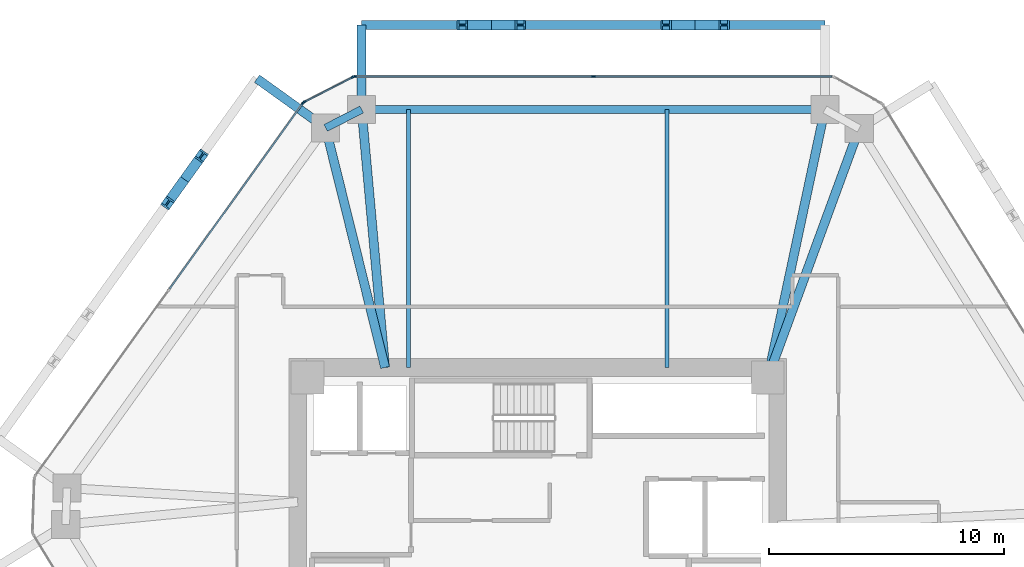
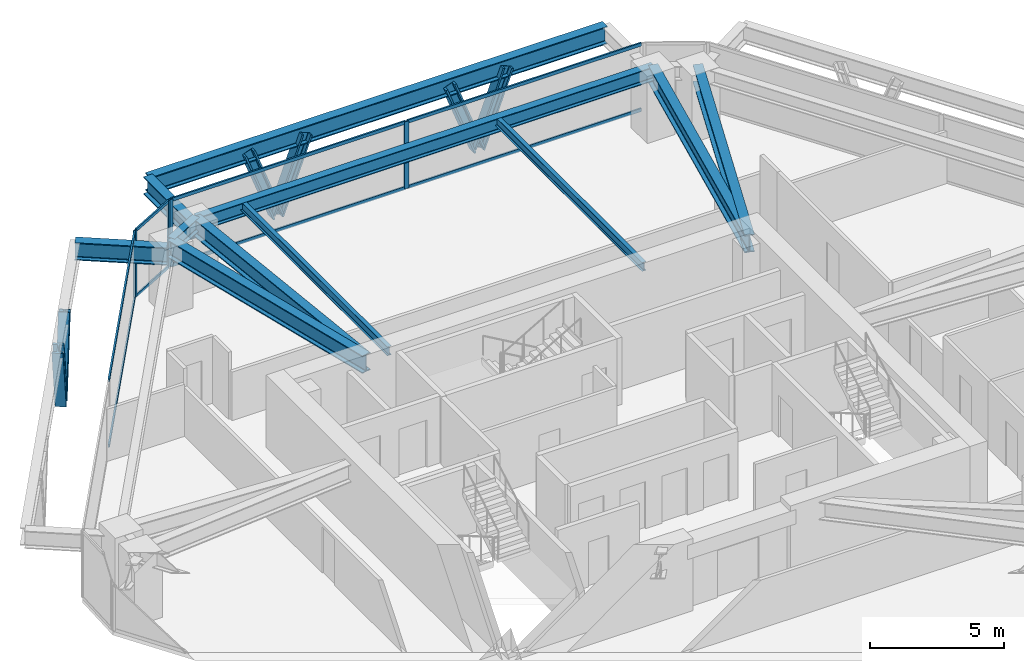
# One storey, part 7 of 13: 19 members, 11 beams, 3 elements without a shape of their own.
"""IFC4 building model written with IfcOpenShell, lengths in metres."""

from ifc_helpers import new_model, si_unit, direction, frame, origin, origin_2d, place, context, subcontext, project, spatial, rectangle, i_section, extrude, source, transform, mapped, material, layer, layer_set, material_profile, profile_set, type_object, type_shapes, element, aggregate, save


model = new_model("IFC4")

# Units and contexts
model_context = context("Model", 3, precision=1e-05, world=origin(), true_north=direction((0.0, 1.0)))
body_context = subcontext(model_context, "Body", "Model", "MODEL_VIEW")
ifc_project = project(units=[si_unit("LENGTHUNIT", "METRE"), si_unit("AREAUNIT", "SQUARE_METRE"), si_unit("VOLUMEUNIT", "CUBIC_METRE"), si_unit("PLANEANGLEUNIT", "RADIAN"), si_unit("MASSUNIT", "GRAM", prefix="KILO")], contexts=[model_context])

# Site, building, storey
site_placement = place(None, origin())
site = spatial("IfcSite", under=ifc_project, at=site_placement, CompositionType="ELEMENT")
building_placement = place(site_placement, origin())
building = spatial("IfcBuilding", under=site, at=building_placement, Name="Durnholm Broadcast Tower", CompositionType="ELEMENT")
storey_placement = place(building_placement, frame((0.0, 0.0, 100.800048828125)))
storey = spatial("IfcBuildingStorey", under=building, at=storey_placement, Name="L26", CompositionType="ELEMENT", Elevation=100.800048828125)

# Beams
ifc_material_1 = material(Name="Steel ASTM A992 Grade 50", Category="steel")
ifc_material_profile_1 = material_profile(ifc_material_1, i_section(OverallWidth=0.385009765625, OverallDepth=0.802978515625, WebThickness=0.023681640625, FlangeThickness=0.0419921875, FilletRadius=0.032958984375, at=origin_2d()), Name="W30X261")
ifc_profile_set_1 = profile_set([ifc_material_profile_1], Name="Steel ASTM A992 Grade 50")
beam_type_1 = type_object("IfcBeamType", Name="BM-EXO-TIE", PredefinedType="USERDEFINED", material=ifc_profile_set_1)
shared_shape_1 = source(origin(), body_context, "Body", "SweptSolid", [
    extrude(i_section(OverallWidth=0.385009765625, OverallDepth=0.802978515625, WebThickness=0.023681640625, FlangeThickness=0.0419921875, FilletRadius=0.032958984375, at=origin_2d()), origin(), (0.0, 0.0, 1.0), 3.4560546875),
])
beam_1_placement = place(storey_placement, frame((-7.498046875, 19.35888671875, 2.30859375), z_axis=(0.0, 1.0, 0.0), x_axis=(-1.0, 0.0, 0.0)))
element("IfcBeam", 1, at=beam_1_placement, inside=storey, type_object=beam_type_1, Name="L26 exoskeleton stand-off tie bracket F4.2", ObjectType="GIRDER", PredefinedType="USERDEFINED", context=body_context, shape_type="MappedRepresentation", body=[
    mapped(shared_shape_1, transform((0.0, 0.0, 0.0), x_axis=(1.0, 0.0, 0.0), y_axis=(0.0, 1.0, 0.0), z_axis=(0.0, 0.0, 1.0), scale=1.0)),
])
ifc_material_profile_2 = material_profile(ifc_material_1, i_section(OverallWidth=0.3291015625, OverallDepth=0.635009765625, WebThickness=0.017822265625, FlangeThickness=0.031005859375, FilletRadius=0.02783203125, at=origin_2d()), Name="W24X162")
ifc_profile_set_2 = profile_set([ifc_material_profile_2], Name="Steel ASTM A992 Grade 50")
beam_type_2 = type_object("IfcBeamType", Name="STL-SP-W24X162", PredefinedType="SPANDREL", material=ifc_profile_set_2)
shared_shape_2 = source(origin(), body_context, "Body", "SweptSolid", [
    extrude(i_section(OverallWidth=0.3291015625, OverallDepth=0.635009765625, WebThickness=0.017822265625, FlangeThickness=0.031005859375, FilletRadius=0.02783203125, at=origin_2d()), origin(), (0.0, 0.0, 1.0), 1.723876953125),
])
beam_2_placement = place(storey_placement, frame((-9.031982421875, 18.42822265625, 2.7275390625), z_axis=(0.889762904339, 0.456423020959, 0.0), x_axis=(-0.456423020959, 0.889762904339, 0.0)))
element("IfcBeam", 2, at=beam_2_placement, inside=storey, type_object=beam_type_2, Name="L26 perimeter spandrel girder 04", PredefinedType="SPANDREL", context=body_context, shape_type="MappedRepresentation", body=[
    mapped(shared_shape_2, transform((0.0, 0.0, 0.0), x_axis=(1.0, 0.0, 0.0), y_axis=(0.0, 1.0, 0.0), z_axis=(0.0, 0.0, 1.0), scale=1.0)),
])
shared_shape_3 = source(origin(), body_context, "Body", "SweptSolid", [
    extrude(i_section(OverallWidth=0.3291015625, OverallDepth=0.635009765625, WebThickness=0.017822265625, FlangeThickness=0.031005859375, FilletRadius=0.02783203125, at=origin_2d()), origin(), (0.0, 0.0, 1.0), 19.72802734375),
])
type_shapes(beam_type_2, [shared_shape_2, shared_shape_3])
beam_3_placement = place(storey_placement, frame((-7.498046875, 19.215087890625, 2.7275390625), z_axis=(1.0, 0.0, 0.0), x_axis=(0.0, 1.0, 0.0)))
element("IfcBeam", 3, at=beam_3_placement, inside=storey, type_object=beam_type_2, Name="L26 perimeter spandrel girder 05", PredefinedType="SPANDREL", context=body_context, shape_type="MappedRepresentation", body=[
    mapped(shared_shape_3, transform((0.0, 0.0, 0.0), x_axis=(1.0, 0.0, 0.0), y_axis=(0.0, 1.0, 0.0), z_axis=(0.0, 0.0, 1.0), scale=1.0)),
])
ifc_material_profile_3 = material_profile(ifc_material_1, i_section(OverallWidth=0.385009765625, OverallDepth=0.802978515625, WebThickness=0.023681640625, FlangeThickness=0.0419921875, FilletRadius=0.032958984375, at=origin_2d()), Name="W30X261")
ifc_profile_set_3 = profile_set([ifc_material_profile_3], Name="Steel ASTM A992 Grade 50")
beam_type_3 = type_object("IfcBeamType", Name="STL-GR-W30X261", PredefinedType="USERDEFINED", material=ifc_profile_set_3)
shared_shape_4 = source(origin(), body_context, "Body", "SweptSolid", [
    extrude(i_section(OverallWidth=0.385009765625, OverallDepth=0.802978515625, WebThickness=0.023681640625, FlangeThickness=0.0419921875, FilletRadius=0.032958984375, at=origin_2d()), origin(), (0.0, 0.0, 1.0), 10.5126953125),
])
beam_4_placement = place(storey_placement, frame((-6.5, 8.22509765625, 2.6435546875), z_axis=(-0.240852230194, 0.970561797729, 0.0), x_axis=(-0.970561797729, -0.240852230194, 0.0)))
element("IfcBeam", 4, at=beam_4_placement, inside=storey, type_object=beam_type_3, Name="L26 radial primary floor girder 04", ObjectType="GIRDER", PredefinedType="USERDEFINED", context=body_context, shape_type="MappedRepresentation", body=[
    mapped(shared_shape_4, transform((0.0, 0.0, 0.0), x_axis=(1.0, 0.0, 0.0), y_axis=(0.0, 1.0, 0.0), z_axis=(0.0, 0.0, 1.0), scale=1.0)),
])
shared_shape_5 = source(origin(), body_context, "Body", "SweptSolid", [
    extrude(i_section(OverallWidth=0.385009765625, OverallDepth=0.802978515625, WebThickness=0.023681640625, FlangeThickness=0.0419921875, FilletRadius=0.032958984375, at=origin_2d()), origin(), (0.0, 0.0, 1.0), 11.03515625),
])
beam_5_placement = place(storey_placement, frame((-6.5, 8.22509765625, 2.6435546875), z_axis=(-0.090441991612, 0.995901725148, 0.0), x_axis=(-0.995901725148, -0.090441991612, 0.0)))
element("IfcBeam", 5, at=beam_5_placement, inside=storey, type_object=beam_type_3, Name="L26 radial primary floor girder 05", ObjectType="GIRDER", PredefinedType="USERDEFINED", context=body_context, shape_type="MappedRepresentation", body=[
    mapped(shared_shape_5, transform((0.0, 0.0, 0.0), x_axis=(1.0, 0.0, 0.0), y_axis=(0.0, 1.0, 0.0), z_axis=(0.0, 0.0, 1.0), scale=1.0)),
])
shared_shape_6 = source(origin(), body_context, "Body", "SweptSolid", [
    extrude(i_section(OverallWidth=0.385009765625, OverallDepth=0.802978515625, WebThickness=0.023681640625, FlangeThickness=0.0419921875, FilletRadius=0.032958984375, at=origin_2d()), origin(), (0.0, 0.0, 1.0), 11.6708984375),
])
beam_6_placement = place(storey_placement, frame((9.800048828125, 7.800048828125, 2.6435546875), z_axis=(0.208206004915, 0.97808499606, 0.0), x_axis=(-0.97808499606, 0.208206004915, 0.0)))
element("IfcBeam", 6, at=beam_6_placement, inside=storey, type_object=beam_type_3, Name="L26 radial primary floor girder 06", ObjectType="GIRDER", PredefinedType="USERDEFINED", context=body_context, shape_type="MappedRepresentation", body=[
    mapped(shared_shape_6, transform((0.0, 0.0, 0.0), x_axis=(1.0, 0.0, 0.0), y_axis=(0.0, 1.0, 0.0), z_axis=(0.0, 0.0, 1.0), scale=1.0)),
])
shared_shape_7 = source(origin(), body_context, "Body", "SweptSolid", [
    extrude(i_section(OverallWidth=0.385009765625, OverallDepth=0.802978515625, WebThickness=0.023681640625, FlangeThickness=0.0419921875, FilletRadius=0.032958984375, at=origin_2d()), origin(), (0.0, 0.0, 1.0), 11.293212890625),
])
type_shapes(beam_type_3, [shared_shape_4, shared_shape_5, shared_shape_6, shared_shape_7])
beam_7_placement = place(storey_placement, frame((9.800048828125, 7.800048828125, 2.6435546875), z_axis=(0.344640193759, 0.938734859716, 0.0), x_axis=(-0.938734859716, 0.344640193759, 0.0)))
element("IfcBeam", 7, at=beam_7_placement, inside=storey, type_object=beam_type_3, Name="L26 radial primary floor girder 07", ObjectType="GIRDER", PredefinedType="USERDEFINED", context=body_context, shape_type="MappedRepresentation", body=[
    mapped(shared_shape_7, transform((0.0, 0.0, 0.0), x_axis=(1.0, 0.0, 0.0), y_axis=(0.0, 1.0, 0.0), z_axis=(0.0, 0.0, 1.0), scale=1.0)),
])
ifc_material_profile_4 = material_profile(ifc_material_1, i_section(OverallWidth=0.177734375, OverallDepth=0.40673828125, WebThickness=0.0078125, FlangeThickness=0.0126953125, FilletRadius=0.01904296875, at=origin_2d()), Name="W16X40")
ifc_profile_set_4 = profile_set([ifc_material_profile_4], Name="Steel ASTM A992 Grade 50")
beam_type_4 = type_object("IfcBeamType", Name="STL-BJ-W16X40", PredefinedType="JOIST", material=ifc_profile_set_4)
shared_shape_8 = source(origin(), body_context, "Body", "SweptSolid", [
    extrude(i_section(OverallWidth=0.177734375, OverallDepth=0.40673828125, WebThickness=0.0078125, FlangeThickness=0.0126953125, FilletRadius=0.01904296875, at=origin_2d()), origin(), (0.0, 0.0, 1.0), 10.989990234375),
])
type_shapes(beam_type_4, [shared_shape_8])
for number, where, z_axis, x_axis, name in (
    (8, (-5.5, 8.22509765625, 2.841552734375), (0.0, 1.0, 0.0), (-1.0, 0.0, 0.0), "L26 secondary floor joist 3.2"),
    (9, (5.5, 8.22509765625, 2.841552734375), (0.0, 1.0, 0.0), (-1.0, 0.0, 0.0), "L26 secondary floor joist 4.2"),
):
    element("IfcBeam", number, at=place(storey_placement, frame(where, z_axis=z_axis, x_axis=x_axis)), inside=storey, type_object=beam_type_4, Name=name, PredefinedType="JOIST", context=body_context, shape_type="MappedRepresentation", body=[
        mapped(shared_shape_8, transform((0.0, 0.0, 0.0), x_axis=(1.0, 0.0, 0.0), y_axis=(0.0, 1.0, 0.0), z_axis=(0.0, 0.0, 1.0), scale=1.0)),
    ])
shared_shape_9 = source(origin(), body_context, "Body", "SweptSolid", [
    extrude(i_section(OverallWidth=0.385009765625, OverallDepth=0.802978515625, WebThickness=0.023681640625, FlangeThickness=0.0419921875, FilletRadius=0.032958984375, at=origin_2d()), origin(), (0.0, 0.0, 1.0), 19.72802734375),
])
beam_8_placement = place(storey_placement, frame((12.22998046875, 22.81494140625, 2.30859375), z_axis=(-1.0, 0.0, 0.0), x_axis=(0.0, -1.0, 0.0)))
element("IfcBeam", 10, at=beam_8_placement, inside=storey, type_object=beam_type_1, Name="L26 exoskeleton collector spandrel F4", PredefinedType="SPANDREL", context=body_context, shape_type="MappedRepresentation", body=[
    mapped(shared_shape_9, transform((0.0, 0.0, 0.0), x_axis=(1.0, 0.0, 0.0), y_axis=(0.0, 1.0, 0.0), z_axis=(0.0, 0.0, 1.0), scale=1.0)),
])
shared_shape_10 = source(origin(), body_context, "Body", "SweptSolid", [
    extrude(i_section(OverallWidth=0.385009765625, OverallDepth=0.802978515625, WebThickness=0.023681640625, FlangeThickness=0.0419921875, FilletRadius=0.032958984375, at=origin_2d()), origin(), (0.0, 0.0, 1.0), 3.456298828125),
])
type_shapes(beam_type_1, [shared_shape_1, shared_shape_9, shared_shape_10])
beam_9_placement = place(storey_placement, frame((-9.14892578125, 18.51220703125, 2.30859375), z_axis=(-0.812131479052, 0.583474473077, 0.0), x_axis=(-0.583474473077, -0.812131479052, 0.0)))
element("IfcBeam", 11, at=beam_9_placement, inside=storey, type_object=beam_type_1, Name="L26 exoskeleton stand-off tie bracket F5.1", ObjectType="GIRDER", PredefinedType="USERDEFINED", context=body_context, shape_type="MappedRepresentation", body=[
    mapped(shared_shape_10, transform((0.0, 0.0, 0.0), x_axis=(1.0, 0.0, 0.0), y_axis=(0.0, 1.0, 0.0), z_axis=(0.0, 0.0, 1.0), scale=1.0)),
])

# Members
ifc_material_2 = material(Name="Steel ASTM A913 Grade 65", Category="steel")
ifc_material_profile_5 = material_profile(ifc_material_2, i_section(OverallWidth=0.424072265625, OverallDepth=0.47412109375, WebThickness=0.047607421875, FlangeThickness=0.0771484375, FilletRadius=0.030517578125, at=origin_2d()), Name="W14X426")
ifc_profile_set_5 = profile_set([ifc_material_profile_5], Name="Steel ASTM A913 Grade 65")
member_type_1 = type_object("IfcMemberType", Name="STL-DG-W14X426", PredefinedType="BRACE", material=ifc_profile_set_5)
shared_shape_11 = source(origin(), body_context, "Body", "SweptSolid", [
    extrude(i_section(OverallWidth=0.424072265625, OverallDepth=0.47412109375, WebThickness=0.047607421875, FlangeThickness=0.0771484375, FilletRadius=0.030517578125, at=origin_2d()), origin(), (0.0, 0.0, 1.0), 3.523193359375),
])
type_shapes(member_type_1, [shared_shape_11])
for number, where, z_axis, x_axis, name in (
    (12, (6.7060546875, 22.81494140625, -0.991455078125), (0.350219588454, 0.0, 0.936667625075), (0.0, 1.0, 0.0), "L26 stand-off diagrid brace F4.D1.1"),
    (13, (6.7060546875, 22.81494140625, -0.991455078125), (-0.350158790071, 0.0, 0.936690355313), (0.0, -1.0, 0.0), "L26 stand-off diagrid brace F4.D1.2"),
    (14, (-1.974365234375, 22.81494140625, -0.991455078125), (0.350219588454, 0.0, 0.936667625075), (0.0, 1.0, 0.0), "L26 stand-off diagrid brace F4.D2.1"),
    (15, (-1.974365234375, 22.81494140625, -0.991455078125), (-0.350158790071, 0.0, 0.936690355313), (0.0, -1.0, 0.0), "L26 stand-off diagrid brace F4.D2.2"),
    (16, (-15.040771484375, 16.234375, -0.991455078125), (0.204287819296, 0.284395254542, 0.936688756248), (-0.812179469647, 0.583407669717, 0.0), "L26 stand-off diagrid brace F5.D1.1"),
    (17, (-15.040771484375, 16.234375, -0.991455078125), (-0.204354222964, -0.284391227889, 0.936675493998), (0.812085698931, -0.583538188632, 0.0), "L26 stand-off diagrid brace F5.D1.2"),
):
    element("IfcMember", number, at=place(storey_placement, frame(where, z_axis=z_axis, x_axis=x_axis)), inside=storey, type_object=member_type_1, Name=name, PredefinedType="BRACE", context=body_context, shape_type="MappedRepresentation", body=[
        mapped(shared_shape_11, transform((0.0, 0.0, 0.0), x_axis=(1.0, 0.0, 0.0), y_axis=(0.0, 1.0, 0.0), z_axis=(0.0, 0.0, 1.0), scale=1.0)),
    ])

# Curtain wall, members
ifc_material_3 = material(Name="Aluminium and Solar Control IGU", Category="aluminium")
ifc_layer_1 = layer(ifc_material_3, 0.1650390625)
ifc_layer_set_1 = layer_set([ifc_layer_1], Name="Aluminium and Solar Control IGU")
curtain_wall_type_1 = type_object("IfcCurtainWallType", Name="CW-SYS-5", PredefinedType="NOTDEFINED", material=ifc_layer_set_1)
curtain_wall_1_placement = place(storey_placement, origin())
curtain_wall_1 = element("IfcCurtainWall", 18, at=curtain_wall_1_placement, inside=storey, type_object=curtain_wall_type_1, Name="L26 curtain wall CW-CORNER CW-L26-CRN-03", PredefinedType="NOTDEFINED")
ifc_material_4 = material(Name="Aluminium 6063-T6", Category="aluminium")
ifc_material_profile_6 = material_profile(ifc_material_4, rectangle(XDim=0.06494140625, YDim=0.1650390625, at=origin_2d()), Name="CWM65X165")
ifc_profile_set_6 = profile_set([ifc_material_profile_6], Name="Aluminium 6063-T6")
member_type_2 = type_object("IfcMemberType", Name="CW-SYS-5-MUL", PredefinedType="MULLION", material=ifc_profile_set_6)
shared_shape_12 = source(origin(), body_context, "Body", "SweptSolid", [
    extrude(rectangle(XDim=0.06494140625, YDim=0.1650390625, at=origin_2d()), origin(), (0.0, 0.0, 1.0), 3.06005859375),
])
type_shapes(member_type_2, [shared_shape_12])
member_1_placement = place(storey_placement, frame((-9.94287109375, 19.534423828125, 0.0), z_axis=(0.0, 0.0, 1.0), x_axis=(-0.45637332267, 0.889788396392, 0.0)))
member_1 = element("IfcMember", 19, at=member_1_placement, type_object=member_type_2, Name="CW-CORNER mullion 1", PredefinedType="MULLION", context=body_context, shape_type="MappedRepresentation", body=[
    mapped(shared_shape_12, transform((0.0, 0.0, 0.0), x_axis=(1.0, 0.0, 0.0), y_axis=(0.0, 1.0, 0.0), z_axis=(0.0, 0.0, 1.0), scale=1.0)),
])
member_2_placement = place(storey_placement, frame((-7.865234375, 20.60009765625, 0.0), z_axis=(0.0, 0.0, 1.0), x_axis=(-0.45637332267, 0.889788396392, 0.0)))
member_2 = element("IfcMember", 20, at=member_2_placement, type_object=member_type_2, Name="CW-CORNER mullion 2", PredefinedType="MULLION", context=body_context, shape_type="MappedRepresentation", body=[
    mapped(shared_shape_12, transform((0.0, 0.0, 0.0), x_axis=(1.0, 0.0, 0.0), y_axis=(0.0, 1.0, 0.0), z_axis=(0.0, 0.0, 1.0), scale=1.0)),
])

# Curtain wall, member
ifc_layer_2 = layer(ifc_material_3, 0.18994140625)
ifc_layer_set_2 = layer_set([ifc_layer_2], Name="Aluminium and Solar Control IGU")
curtain_wall_type_2 = type_object("IfcCurtainWallType", Name="CW-SYS-3", PredefinedType="NOTDEFINED", material=ifc_layer_set_2)
curtain_wall_2_placement = place(storey_placement, origin())
curtain_wall_2 = element("IfcCurtainWall", 21, at=curtain_wall_2_placement, inside=storey, type_object=curtain_wall_type_2, Name="L26 curtain wall CW-Z12-VIS CW-L26-F02", PredefinedType="NOTDEFINED")
ifc_material_profile_7 = material_profile(ifc_material_4, rectangle(XDim=0.070068359375, YDim=0.18994140625, at=origin_2d()), Name="CWM70X190")
ifc_profile_set_7 = profile_set([ifc_material_profile_7], Name="Aluminium 6063-T6")
member_type_3 = type_object("IfcMemberType", Name="CW-SYS-3-MUL", PredefinedType="MULLION", material=ifc_profile_set_7)
shared_shape_13 = source(origin(), body_context, "Body", "SweptSolid", [
    extrude(rectangle(XDim=0.070068359375, YDim=0.18994140625, at=origin_2d()), origin(), (0.0, 0.0, 1.0), 3.06005859375),
])
type_shapes(member_type_3, [shared_shape_13])
member_3_placement = place(storey_placement, frame((-9.9921875, 19.4912109375, 0.0), z_axis=(0.0, 0.0, 1.0), x_axis=(-0.812152312759, 0.583445473786, 0.0)))
member_3 = element("IfcMember", 22, at=member_3_placement, type_object=member_type_3, Name="CW-Z12-VIS mullion 3", PredefinedType="MULLION", context=body_context, shape_type="MappedRepresentation", body=[
    mapped(shared_shape_13, transform((0.0, 0.0, 0.0), x_axis=(1.0, 0.0, 0.0), y_axis=(0.0, 1.0, 0.0), z_axis=(0.0, 0.0, 1.0), scale=1.0)),
])

# Curtain wall, members
curtain_wall_3_placement = place(storey_placement, origin())
curtain_wall_3 = element("IfcCurtainWall", 23, at=curtain_wall_3_placement, inside=storey, type_object=curtain_wall_type_2, Name="L26 curtain wall CW-Z12-VIS CW-L26-F04", PredefinedType="NOTDEFINED")
member_4_placement = place(storey_placement, frame((-7.80126953125, 20.614990234375, 0.0), z_axis=(0.0, 0.0, 1.0), x_axis=(0.0, 1.0, 0.0)))
member_4 = element("IfcMember", 24, at=member_4_placement, type_object=member_type_3, Name="CW-Z12-VIS mullion 1", PredefinedType="MULLION", context=body_context, shape_type="MappedRepresentation", body=[
    mapped(shared_shape_13, transform((0.0, 0.0, 0.0), x_axis=(1.0, 0.0, 0.0), y_axis=(0.0, 1.0, 0.0), z_axis=(0.0, 0.0, 1.0), scale=1.0)),
])
member_5_placement = place(storey_placement, frame((2.37841796875, 20.614990234375, 0.0), z_axis=(0.0, 0.0, 1.0), x_axis=(0.0, 1.0, 0.0)))
member_5 = element("IfcMember", 25, at=member_5_placement, type_object=member_type_3, Name="CW-Z12-VIS mullion 2", PredefinedType="MULLION", context=body_context, shape_type="MappedRepresentation", body=[
    mapped(shared_shape_13, transform((0.0, 0.0, 0.0), x_axis=(1.0, 0.0, 0.0), y_axis=(0.0, 1.0, 0.0), z_axis=(0.0, 0.0, 1.0), scale=1.0)),
])

# Member
ifc_material_profile_8 = material_profile(ifc_material_4, rectangle(XDim=0.06494140625, YDim=0.1298828125, at=origin_2d()), Name="CWT65X130")
ifc_profile_set_8 = profile_set([ifc_material_profile_8], Name="Aluminium 6063-T6")
member_type_4 = type_object("IfcMemberType", Name="CW-SYS-5-TRN", PredefinedType="USERDEFINED", material=ifc_profile_set_8)
shared_shape_14 = source(origin(), body_context, "Body", "SweptSolid", [
    extrude(rectangle(XDim=0.06494140625, YDim=0.1298828125, at=origin_2d()), origin(), (0.0, 0.0, 1.0), 2.27001953125),
])
type_shapes(member_type_4, [shared_shape_14])
member_6_placement = place(storey_placement, frame((-9.913818359375, 19.54931640625, 0.032470703125), z_axis=(0.889754750021, 0.456438916849, 0.0), x_axis=(-0.456438916849, 0.889754750021, 0.0)))
member_6 = element("IfcMember", 26, at=member_6_placement, type_object=member_type_4, Name="CW-CORNER transom 1.1", ObjectType="TRANSOM", PredefinedType="USERDEFINED", context=body_context, shape_type="MappedRepresentation", body=[
    mapped(shared_shape_14, transform((0.0, 0.0, 0.0), x_axis=(1.0, 0.0, 0.0), y_axis=(0.0, 1.0, 0.0), z_axis=(0.0, 0.0, 1.0), scale=1.0)),
])

member_7_placement = place(storey_placement, frame((-9.913818359375, 19.54931640625, 3.02734375), z_axis=(0.889754750021, 0.456438916849, 0.0), x_axis=(-0.456438916849, 0.889754750021, 0.0)))
member_7 = element("IfcMember", 27, at=member_7_placement, type_object=member_type_4, Name="CW-CORNER transom 1.2", ObjectType="TRANSOM", PredefinedType="USERDEFINED", context=body_context, shape_type="MappedRepresentation", body=[
    mapped(shared_shape_14, transform((0.0, 0.0, 0.0), x_axis=(1.0, 0.0, 0.0), y_axis=(0.0, 1.0, 0.0), z_axis=(0.0, 0.0, 1.0), scale=1.0)),
])

aggregate(curtain_wall_1, [member_1, member_2, member_6, member_7])

ifc_material_profile_9 = material_profile(ifc_material_4, rectangle(XDim=0.070068359375, YDim=0.14990234375, at=origin_2d()), Name="CWT70X150")
ifc_profile_set_9 = profile_set([ifc_material_profile_9], Name="Aluminium 6063-T6")
member_type_5 = type_object("IfcMemberType", Name="CW-SYS-3-TRN", PredefinedType="USERDEFINED", material=ifc_profile_set_9)
shared_shape_15 = source(origin(), body_context, "Body", "SweptSolid", [
    extrude(rectangle(XDim=0.070068359375, YDim=0.14990234375, at=origin_2d()), origin(), (0.0, 0.0, 1.0), 9.71875),
])
member_8_placement = place(storey_placement, frame((-15.682861328125, 11.56982421875, 0.034912109375), z_axis=(0.583450726174, 0.812148539448, 0.0), x_axis=(-0.812148539448, 0.583450726174, 0.0)))
member_8 = element("IfcMember", 28, at=member_8_placement, type_object=member_type_5, Name="CW-Z12-VIS transom 2.1", ObjectType="TRANSOM", PredefinedType="USERDEFINED", context=body_context, shape_type="MappedRepresentation", body=[
    mapped(shared_shape_15, transform((0.0, 0.0, 0.0), x_axis=(1.0, 0.0, 0.0), y_axis=(0.0, 1.0, 0.0), z_axis=(0.0, 0.0, 1.0), scale=1.0)),
])

member_9_placement = place(storey_placement, frame((-15.682861328125, 11.56982421875, 3.02490234375), z_axis=(0.583450726174, 0.812148539448, 0.0), x_axis=(-0.812148539448, 0.583450726174, 0.0)))
member_9 = element("IfcMember", 29, at=member_9_placement, type_object=member_type_5, Name="CW-Z12-VIS transom 2.2", ObjectType="TRANSOM", PredefinedType="USERDEFINED", context=body_context, shape_type="MappedRepresentation", body=[
    mapped(shared_shape_15, transform((0.0, 0.0, 0.0), x_axis=(1.0, 0.0, 0.0), y_axis=(0.0, 1.0, 0.0), z_axis=(0.0, 0.0, 1.0), scale=1.0)),
])

aggregate(curtain_wall_2, [member_3, member_8, member_9])

shared_shape_16 = source(origin(), body_context, "Body", "SweptSolid", [
    extrude(rectangle(XDim=0.070068359375, YDim=0.14990234375, at=origin_2d()), origin(), (0.0, 0.0, 1.0), 10.109619140625),
])
type_shapes(member_type_5, [shared_shape_15, shared_shape_16])
member_10_placement = place(storey_placement, frame((-7.76611328125, 20.614990234375, 0.034912109375), z_axis=(1.0, 0.0, 0.0), x_axis=(0.0, 1.0, 0.0)))
member_10 = element("IfcMember", 30, at=member_10_placement, type_object=member_type_5, Name="CW-Z12-VIS transom 1.1", ObjectType="TRANSOM", PredefinedType="USERDEFINED", context=body_context, shape_type="MappedRepresentation", body=[
    mapped(shared_shape_16, transform((0.0, 0.0, 0.0), x_axis=(1.0, 0.0, 0.0), y_axis=(0.0, 1.0, 0.0), z_axis=(0.0, 0.0, 1.0), scale=1.0)),
])

member_11_placement = place(storey_placement, frame((-7.76611328125, 20.614990234375, 3.02490234375), z_axis=(1.0, 0.0, 0.0), x_axis=(0.0, 1.0, 0.0)))
member_11 = element("IfcMember", 31, at=member_11_placement, type_object=member_type_5, Name="CW-Z12-VIS transom 1.2", ObjectType="TRANSOM", PredefinedType="USERDEFINED", context=body_context, shape_type="MappedRepresentation", body=[
    mapped(shared_shape_16, transform((0.0, 0.0, 0.0), x_axis=(1.0, 0.0, 0.0), y_axis=(0.0, 1.0, 0.0), z_axis=(0.0, 0.0, 1.0), scale=1.0)),
])

member_12_placement = place(storey_placement, frame((2.41357421875, 20.614990234375, 0.034912109375), z_axis=(1.0, 0.0, 0.0), x_axis=(0.0, 1.0, 0.0)))
member_12 = element("IfcMember", 32, at=member_12_placement, type_object=member_type_5, Name="CW-Z12-VIS transom 2.1", ObjectType="TRANSOM", PredefinedType="USERDEFINED", context=body_context, shape_type="MappedRepresentation", body=[
    mapped(shared_shape_16, transform((0.0, 0.0, 0.0), x_axis=(1.0, 0.0, 0.0), y_axis=(0.0, 1.0, 0.0), z_axis=(0.0, 0.0, 1.0), scale=1.0)),
])

member_13_placement = place(storey_placement, frame((2.41357421875, 20.614990234375, 3.02490234375), z_axis=(1.0, 0.0, 0.0), x_axis=(0.0, 1.0, 0.0)))
member_13 = element("IfcMember", 33, at=member_13_placement, type_object=member_type_5, Name="CW-Z12-VIS transom 2.2", ObjectType="TRANSOM", PredefinedType="USERDEFINED", context=body_context, shape_type="MappedRepresentation", body=[
    mapped(shared_shape_16, transform((0.0, 0.0, 0.0), x_axis=(1.0, 0.0, 0.0), y_axis=(0.0, 1.0, 0.0), z_axis=(0.0, 0.0, 1.0), scale=1.0)),
])

aggregate(curtain_wall_3, [member_4, member_5, member_10, member_11, member_12, member_13])

save(model, "model.ifc")
